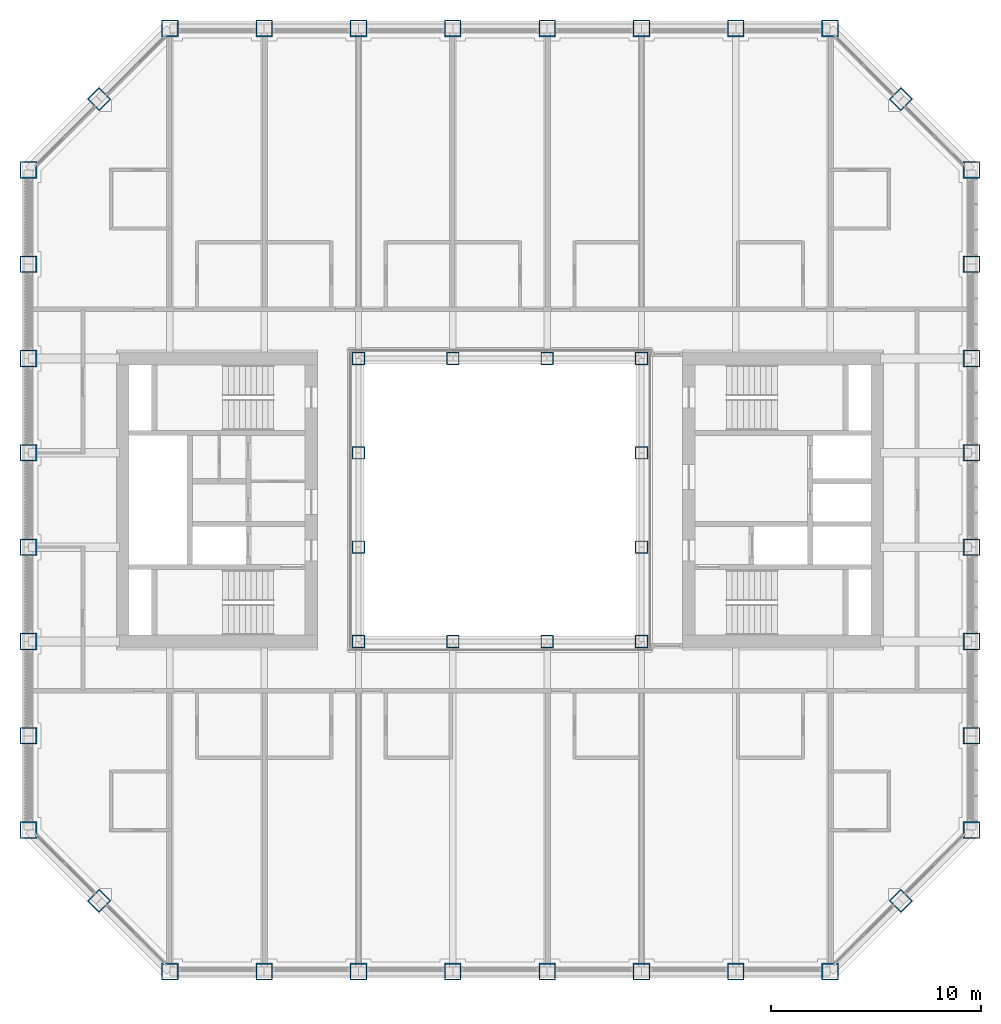
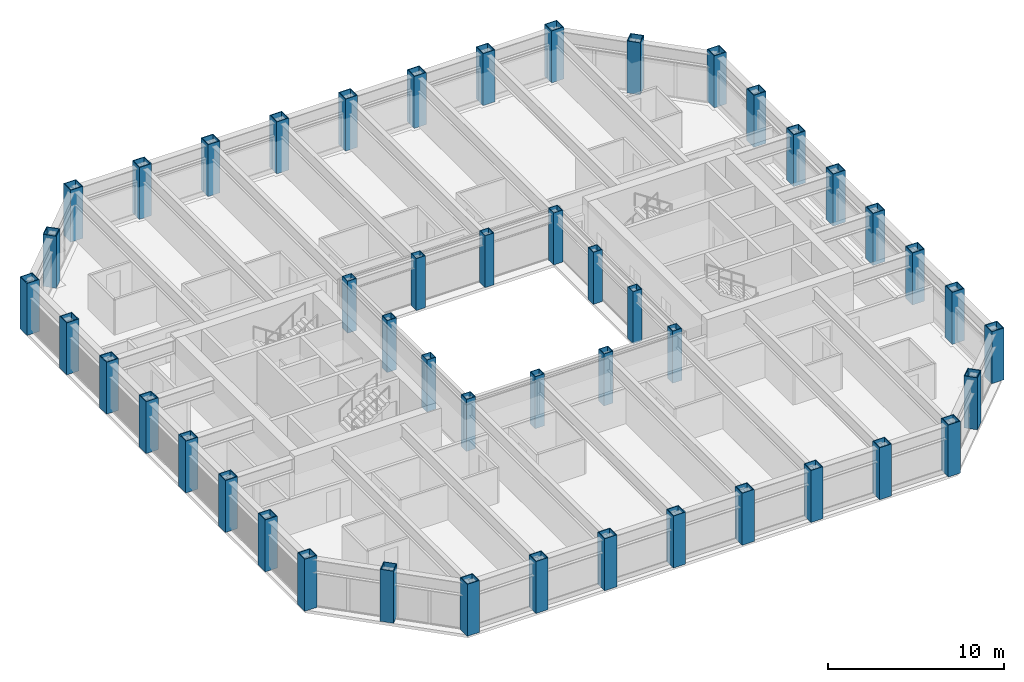
# One storey, part 1 of 17: 48 columns.
"""IFC4 building model written with IfcOpenShell, lengths in metres."""

from ifc_helpers import new_model, si_unit, direction, frame, origin, origin_2d, place, context, subcontext, project, spatial, hollow_rectangle, extrude, material, material_profile, profile_set, type_object, element, save


model = new_model("IFC4")

# Units and contexts
model_context = context("Model", 3, precision=1e-05, world=origin(), true_north=direction((0.0, 1.0)))
body_context = subcontext(model_context, "Body", "Model", "MODEL_VIEW")
ifc_project = project(units=[si_unit("LENGTHUNIT", "METRE"), si_unit("AREAUNIT", "SQUARE_METRE"), si_unit("VOLUMEUNIT", "CUBIC_METRE"), si_unit("PLANEANGLEUNIT", "RADIAN"), si_unit("MASSUNIT", "GRAM", prefix="KILO")], contexts=[model_context])

# Site, building, storey
site_placement = place(None, origin())
site = spatial("IfcSite", under=ifc_project, at=site_placement, CompositionType="ELEMENT")
building_placement = place(site_placement, origin())
building = spatial("IfcBuilding", under=site, at=building_placement, Name="Msasa Ring Tower", CompositionType="ELEMENT")
storey_placement = place(building_placement, frame((0.0, 0.0, 143.60009765625)))
storey = spatial("IfcBuildingStorey", under=building, at=storey_placement, Name="L37", CompositionType="ELEMENT", Elevation=143.60009765625)

# Columns
ifc_material_1 = material(Name="Steel S355", Category="steel")
ifc_material_profile_1 = material_profile(ifc_material_1, hollow_rectangle(XDim=0.60009765625, YDim=0.60009765625, WallThickness=0.0400390625, at=origin_2d()), Name="BOX 600x600x40")
ifc_profile_set_1 = profile_set([ifc_material_profile_1], Name="Steel S355")
column_type_1 = type_object("IfcColumnType", Name="IC4 BOX 600x600x40", PredefinedType="COLUMN", material=ifc_profile_set_1)
for number, where, z_axis, x_axis, name in (
    (1, (-6.75, -6.75, 0.0), (0.0, 0.0, 1.0), (1.0, 0.0, 0.0), "Inner ring column IR-6.75-6.75 L37"),
    (2, (-6.75, -2.25, 0.0), (0.0, 0.0, 1.0), (1.0, 0.0, 0.0), "Inner ring column IR-6.75-2.25 L37"),
    (3, (-6.75, 2.25, 0.0), (0.0, 0.0, 1.0), (1.0, 0.0, 0.0), "Inner ring column IR-6.75+2.25 L37"),
    (4, (-6.75, 6.75, 0.0), (0.0, 0.0, 1.0), (1.0, 0.0, 0.0), "Inner ring column IR-6.75+6.75 L37"),
    (5, (-2.25, -6.75, 0.0), (0.0, 0.0, 1.0), (1.0, 0.0, 0.0), "Inner ring column IR-2.25-6.75 L37"),
    (6, (-2.25, 6.75, 0.0), (0.0, 0.0, 1.0), (1.0, 0.0, 0.0), "Inner ring column IR-2.25+6.75 L37"),
    (7, (2.25, -6.75, 0.0), (0.0, 0.0, 1.0), (1.0, 0.0, 0.0), "Inner ring column IR+2.25-6.75 L37"),
    (8, (2.25, 6.75, 0.0), (0.0, 0.0, 1.0), (1.0, 0.0, 0.0), "Inner ring column IR+2.25+6.75 L37"),
    (9, (6.75, -6.75, 0.0), (0.0, 0.0, 1.0), (1.0, 0.0, 0.0), "Inner ring column IR+6.75-6.75 L37"),
    (10, (6.75, -2.25, 0.0), (0.0, 0.0, 1.0), (1.0, 0.0, 0.0), "Inner ring column IR+6.75-2.25 L37"),
    (11, (6.75, 2.25, 0.0), (0.0, 0.0, 1.0), (1.0, 0.0, 0.0), "Inner ring column IR+6.75+2.25 L37"),
    (12, (6.75, 6.75, 0.0), (0.0, 0.0, 1.0), (1.0, 0.0, 0.0), "Inner ring column IR+6.75+6.75 L37"),
):
    element("IfcColumn", number, at=place(storey_placement, frame(where, z_axis=z_axis, x_axis=x_axis)), inside=storey, type_object=column_type_1, Name=name, PredefinedType="COLUMN", context=body_context, shape_type="SweptSolid", body=[
        extrude(hollow_rectangle(XDim=0.60009765625, YDim=0.60009765625, WallThickness=0.0400390625, at=origin_2d()), origin(), (0.0, 0.0, 1.0), 3.599853515625),
    ])
ifc_material_2 = material(Name="Steel S355", Category="steel")
ifc_material_profile_2 = material_profile(ifc_material_2, hollow_rectangle(XDim=0.800048828125, YDim=0.800048828125, WallThickness=0.050048828125, at=origin_2d()), Name="BOX 800x800x50")
ifc_profile_set_2 = profile_set([ifc_material_profile_2], Name="Steel S355")
column_type_2 = type_object("IfcColumnType", Name="TC4 BOX 800x800x50", PredefinedType="COLUMN", material=ifc_profile_set_2)
for number, where, z_axis, x_axis, name in (
    (13, (-15.75, -22.5, 0.0), (0.0, 0.0, 1.0), (0.0, 1.0, 0.0), "Tube column S-15.75 L37"),
    (14, (-15.75, 22.5, 0.0), (0.0, 0.0, 1.0), (0.0, 1.0, 0.0), "Tube column N-15.75 L37"),
    (15, (22.5, -15.75, 0.0), (0.0, 0.0, 1.0), (1.0, 0.0, 0.0), "Tube column E-15.75 L37"),
    (16, (-22.5, -15.75, 0.0), (0.0, 0.0, 1.0), (1.0, 0.0, 0.0), "Tube column W-15.75 L37"),
    (17, (-11.25, -22.5, 0.0), (0.0, 0.0, 1.0), (0.0, 1.0, 0.0), "Tube column S-11.25 L37"),
    (18, (-11.25, 22.5, 0.0), (0.0, 0.0, 1.0), (0.0, 1.0, 0.0), "Tube column N-11.25 L37"),
    (19, (22.5, -11.25, 0.0), (0.0, 0.0, 1.0), (1.0, 0.0, 0.0), "Tube column E-11.25 L37"),
    (20, (-22.5, -11.25, 0.0), (0.0, 0.0, 1.0), (1.0, 0.0, 0.0), "Tube column W-11.25 L37"),
    (21, (-6.75, -22.5, 0.0), (0.0, 0.0, 1.0), (0.0, 1.0, 0.0), "Tube column S-6.75 L37"),
    (22, (-6.75, 22.5, 0.0), (0.0, 0.0, 1.0), (0.0, 1.0, 0.0), "Tube column N-6.75 L37"),
    (23, (22.5, -6.75, 0.0), (0.0, 0.0, 1.0), (1.0, 0.0, 0.0), "Tube column E-6.75 L37"),
    (24, (-22.5, -6.75, 0.0), (0.0, 0.0, 1.0), (1.0, 0.0, 0.0), "Tube column W-6.75 L37"),
    (25, (-2.25, -22.5, 0.0), (0.0, 0.0, 1.0), (0.0, 1.0, 0.0), "Tube column S-2.25 L37"),
    (26, (-2.25, 22.5, 0.0), (0.0, 0.0, 1.0), (0.0, 1.0, 0.0), "Tube column N-2.25 L37"),
    (27, (22.5, -2.25, 0.0), (0.0, 0.0, 1.0), (1.0, 0.0, 0.0), "Tube column E-2.25 L37"),
    (28, (-22.5, -2.25, 0.0), (0.0, 0.0, 1.0), (1.0, 0.0, 0.0), "Tube column W-2.25 L37"),
    (29, (2.25, -22.5, 0.0), (0.0, 0.0, 1.0), (0.0, 1.0, 0.0), "Tube column S+2.25 L37"),
    (30, (2.25, 22.5, 0.0), (0.0, 0.0, 1.0), (0.0, 1.0, 0.0), "Tube column N+2.25 L37"),
    (31, (22.5, 2.25, 0.0), (0.0, 0.0, 1.0), (1.0, 0.0, 0.0), "Tube column E+2.25 L37"),
    (32, (-22.5, 2.25, 0.0), (0.0, 0.0, 1.0), (1.0, 0.0, 0.0), "Tube column W+2.25 L37"),
    (33, (6.75, -22.5, 0.0), (0.0, 0.0, 1.0), (0.0, 1.0, 0.0), "Tube column S+6.75 L37"),
    (34, (6.75, 22.5, 0.0), (0.0, 0.0, 1.0), (0.0, 1.0, 0.0), "Tube column N+6.75 L37"),
    (35, (22.5, 6.75, 0.0), (0.0, 0.0, 1.0), (1.0, 0.0, 0.0), "Tube column E+6.75 L37"),
    (36, (-22.5, 6.75, 0.0), (0.0, 0.0, 1.0), (1.0, 0.0, 0.0), "Tube column W+6.75 L37"),
    (37, (11.25, -22.5, 0.0), (0.0, 0.0, 1.0), (0.0, 1.0, 0.0), "Tube column S+11.25 L37"),
    (38, (11.25, 22.5, 0.0), (0.0, 0.0, 1.0), (0.0, 1.0, 0.0), "Tube column N+11.25 L37"),
    (39, (22.5, 11.25, 0.0), (0.0, 0.0, 1.0), (1.0, 0.0, 0.0), "Tube column E+11.25 L37"),
    (40, (-22.5, 11.25, 0.0), (0.0, 0.0, 1.0), (1.0, 0.0, 0.0), "Tube column W+11.25 L37"),
    (41, (15.75, -22.5, 0.0), (0.0, 0.0, 1.0), (0.0, 1.0, 0.0), "Tube column S+15.75 L37"),
    (42, (15.75, 22.5, 0.0), (0.0, 0.0, 1.0), (0.0, 1.0, 0.0), "Tube column N+15.75 L37"),
    (43, (22.5, 15.75, 0.0), (0.0, 0.0, 1.0), (1.0, 0.0, 0.0), "Tube column E+15.75 L37"),
    (44, (-22.5, 15.75, 0.0), (0.0, 0.0, 1.0), (1.0, 0.0, 0.0), "Tube column W+15.75 L37"),
    (45, (19.125, -19.125, 0.0), (0.0, 0.0, 1.0), (0.707106781187, -0.707106781187, 0.0), "Tube column SE L37"),
    (46, (19.125, 19.125, 0.0), (0.0, 0.0, 1.0), (0.707106781187, 0.707106781187, 0.0), "Tube column NE L37"),
    (47, (-19.125, 19.125, 0.0), (0.0, 0.0, 1.0), (0.707106781187, -0.707106781187, 0.0), "Tube column NW L37"),
    (48, (-19.125, -19.125, 0.0), (0.0, 0.0, 1.0), (0.707106781187, 0.707106781187, 0.0), "Tube column SW L37"),
):
    element("IfcColumn", number, at=place(storey_placement, frame(where, z_axis=z_axis, x_axis=x_axis)), inside=storey, type_object=column_type_2, Name=name, PredefinedType="COLUMN", context=body_context, shape_type="SweptSolid", body=[
        extrude(hollow_rectangle(XDim=0.800048828125, YDim=0.800048828125, WallThickness=0.050048828125, at=origin_2d()), origin(), (0.0, 0.0, 1.0), 3.599853515625),
    ])

save(model, "model.ifc")
